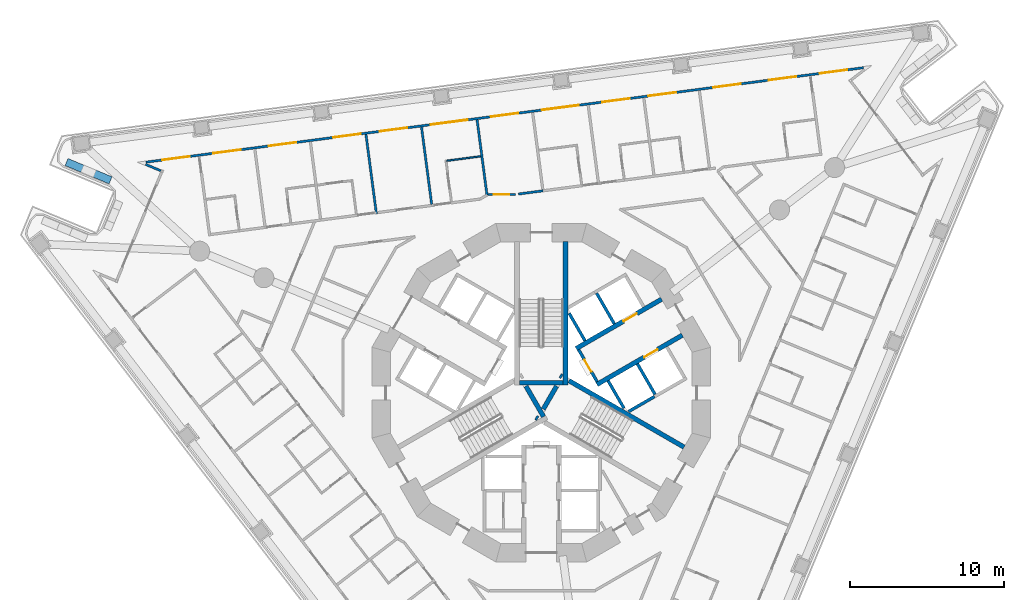
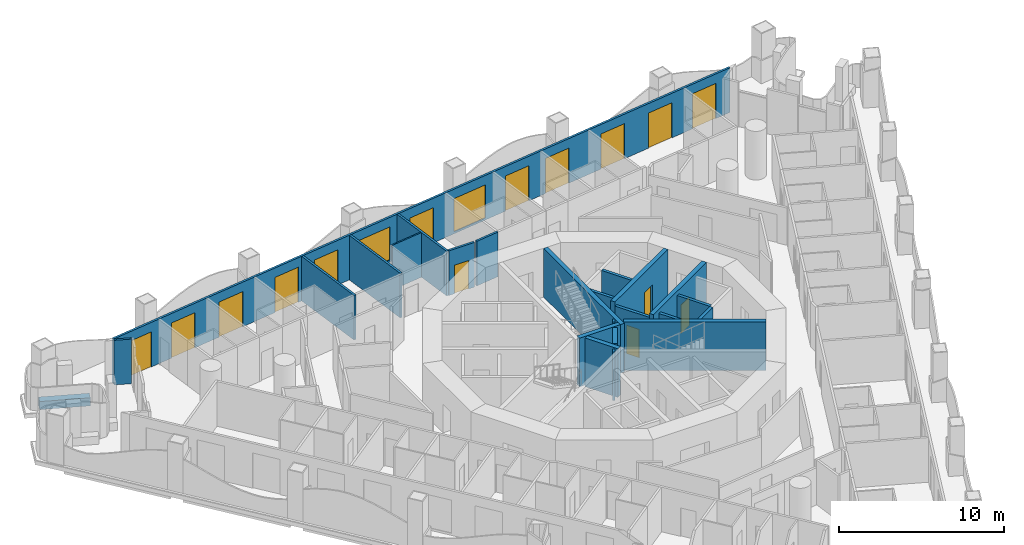
# One storey, part 8 of 19: 24 walls, 15 doors, 2 windows, 17 openings.
"""IFC4 building model written with IfcOpenShell, lengths in metres."""

from ifc_helpers import new_model, si_unit, direction, frame, frame_2d, origin, place, context, subcontext, project, spatial, polyline, rectangle, outline, extrude, material, layer, layer_set, type_object, element, fill, save


model = new_model("IFC4")

# Units and contexts
model_context = context("Model", 3, precision=1e-05, world=origin(), true_north=direction((0.0, 1.0)))
body_context = subcontext(model_context, "Body", "Model", "MODEL_VIEW")
ifc_project = project(units=[si_unit("LENGTHUNIT", "METRE"), si_unit("AREAUNIT", "SQUARE_METRE"), si_unit("VOLUMEUNIT", "CUBIC_METRE"), si_unit("PLANEANGLEUNIT", "RADIAN"), si_unit("MASSUNIT", "GRAM", prefix="KILO")], contexts=[model_context])

# Site, building, storey
site_placement = place(None, origin())
site = spatial("IfcSite", under=ifc_project, at=site_placement, CompositionType="ELEMENT")
building_placement = place(site_placement, origin())
building = spatial("IfcBuilding", under=site, at=building_placement, Name="Trine Commons Tower", CompositionType="ELEMENT")
storey_placement = place(building_placement, frame((0.0, 0.0, 57.60009765625)))
storey = spatial("IfcBuildingStorey", under=building, at=storey_placement, Name="L13", CompositionType="ELEMENT", Elevation=57.60009765625)

# Wall
ifc_material_1 = material(Name="Aluminium-framed insulated wall panel", Category="aluminium")
ifc_layer_1 = layer(ifc_material_1, 0.14990234375)
ifc_layer_set_1 = layer_set([ifc_layer_1], Name="Aluminium-framed insulated wall panel")
wall_type_1 = type_object("IfcWallType", Name="Glazed frame wall 150, EI 60", PredefinedType="SOLIDWALL", material=ifc_layer_set_1)
wall_1_placement = place(storey_placement, frame((55.376220703125, 76.883056640625, 0.0), z_axis=(0.0, 0.0, 1.0), x_axis=(-0.923901801611, 0.382629665579, 0.0)))
element("IfcWall", 1, at=wall_1_placement, inside=storey, type_object=wall_type_1, Name="Glazed frame wall R3", PredefinedType="SOLIDWALL", context=body_context, shape_type="SweptSolid", body=[
    extrude(outline(polyline([(0.110107421875, 0.074951171875), (0.110107421875, -0.074951171875), (1.19580078125, -0.074951171875), (1.19580078125, 0.074951171875), (0.110107421875, 0.074951171875)])), origin(), (0.0, 0.0, 1.0), 3.2998046875),
])

# Wall, openings, windows, doors
wall_2_placement = place(storey_placement, frame((54.142333984375, 77.464599609375, 0.0), z_axis=(0.0, 0.0, 1.0), x_axis=(0.991444696532, 0.130527444308, 0.0)))
wall_2 = element("IfcWall", 2, at=wall_2_placement, inside=storey, type_object=wall_type_1, Name="Glazed frame wall F1", PredefinedType="SOLIDWALL", context=body_context, shape_type="SweptSolid", body=[
    extrude(outline(polyline([(0.1494140625, 0.074951171875), (0.1494140625, -0.074951171875), (47.216796875, -0.074951171875), (47.216796875, 0.074951171875), (0.1494140625, 0.074951171875)])), origin(), (0.0, 0.0, 1.0), 3.2998046875),
])
opening_1_placement = place(wall_2_placement, frame((1.2216796875, 0.0, 0.0)))
opening_1 = element("IfcOpeningElement", 3, at=opening_1_placement, cuts=wall_2, Name="Opening BD-2F1-01", PredefinedType="OPENING", context=body_context, shape_type="SweptSolid", body=[
    extrude(rectangle(XDim=1.800048828125, YDim=2.60009765625, at=frame_2d((0.89990234375, 1.300048828125))), frame((0.0, 0.0849609375, 0.0), z_axis=(0.0, -1.0, 0.0), x_axis=(1.0, 0.0, 0.0)), (0.0, 0.0, 1.0), 0.169921875),
])
opening_2_placement = place(wall_2_placement, frame((4.5654296875, 0.0, 0.0)))
opening_2 = element("IfcOpeningElement", 4, at=opening_2_placement, cuts=wall_2, Name="Opening BD-2F1-02", PredefinedType="OPENING", context=body_context, shape_type="SweptSolid", body=[
    extrude(rectangle(XDim=1.800048828125, YDim=2.60009765625, at=frame_2d((0.89990234375, 1.300048828125))), frame((0.0, 0.0849609375, 0.0), z_axis=(0.0, -1.0, 0.0), x_axis=(1.0, 0.0, 0.0)), (0.0, 0.0, 1.0), 0.169921875),
])
opening_3_placement = place(wall_2_placement, frame((8.208984375, 0.0, 0.0)))
opening_3 = element("IfcOpeningElement", 5, at=opening_3_placement, cuts=wall_2, Name="Opening BD-2F1-03", PredefinedType="OPENING", context=body_context, shape_type="SweptSolid", body=[
    extrude(rectangle(XDim=1.800048828125, YDim=2.60009765625, at=frame_2d((0.89990234375, 1.300048828125))), frame((0.0, 0.0849609375, 0.0), z_axis=(0.0, -1.0, 0.0), x_axis=(1.0, 0.0, 0.0)), (0.0, 0.0, 1.0), 0.169921875),
])
opening_4_placement = place(wall_2_placement, frame((12.45263671875, 0.0, 0.0)))
opening_4 = element("IfcOpeningElement", 6, at=opening_4_placement, cuts=wall_2, Name="Opening BD-2F1-04", PredefinedType="OPENING", context=body_context, shape_type="SweptSolid", body=[
    extrude(rectangle(XDim=1.800048828125, YDim=2.60009765625, at=frame_2d((0.89990234375, 1.300048828125))), frame((0.0, 0.0849609375, 0.0), z_axis=(0.0, -1.0, 0.0), x_axis=(1.0, 0.0, 0.0)), (0.0, 0.0, 1.0), 0.169921875),
])
opening_5_placement = place(wall_2_placement, frame((15.49609375, 0.0, 0.0)))
opening_5 = element("IfcOpeningElement", 7, at=opening_5_placement, cuts=wall_2, Name="Opening BD-2F1-05", PredefinedType="OPENING", context=body_context, shape_type="SweptSolid", body=[
    extrude(rectangle(XDim=1.800048828125, YDim=2.60009765625, at=frame_2d((0.89990234375, 1.300048828125))), frame((0.0, 0.0849609375, 0.0), z_axis=(0.0, -1.0, 0.0), x_axis=(1.0, 0.0, 0.0)), (0.0, 0.0, 1.0), 0.169921875),
])
opening_6_placement = place(wall_2_placement, frame((18.83984375, 0.0, 0.14990234375)))
opening_6 = element("IfcOpeningElement", 8, at=opening_6_placement, cuts=wall_2, Name="Opening W-2F1-06", PredefinedType="OPENING", context=body_context, shape_type="SweptSolid", body=[
    extrude(rectangle(XDim=2.39990234375, YDim=2.449951171875, at=frame_2d((1.199951171875, 1.22509765625))), frame((0.0, 0.0849609375, 0.0), z_axis=(0.0, -1.0, 0.0), x_axis=(1.0, 0.0, 0.0)), (0.0, 0.0, 1.0), 0.169921875),
])
opening_7_placement = place(wall_2_placement, frame((22.783447265625, 0.0, 0.0)))
opening_7 = element("IfcOpeningElement", 9, at=opening_7_placement, cuts=wall_2, Name="Opening BD-2F1-07", PredefinedType="OPENING", context=body_context, shape_type="SweptSolid", body=[
    extrude(rectangle(XDim=1.800048828125, YDim=2.60009765625, at=frame_2d((0.89990234375, 1.300048828125))), frame((0.0, 0.0849609375, 0.0), z_axis=(0.0, -1.0, 0.0), x_axis=(1.0, 0.0, 0.0)), (0.0, 0.0, 1.0), 0.169921875),
])
opening_8_placement = place(wall_2_placement, frame((26.126953125, 0.0, 0.14990234375)))
opening_8 = element("IfcOpeningElement", 10, at=opening_8_placement, cuts=wall_2, Name="Opening W-2F1-08", PredefinedType="OPENING", context=body_context, shape_type="SweptSolid", body=[
    extrude(rectangle(XDim=2.39990234375, YDim=2.449951171875, at=frame_2d((1.199951171875, 1.22509765625))), frame((0.0, 0.0849609375, 0.0), z_axis=(0.0, -1.0, 0.0), x_axis=(1.0, 0.0, 0.0)), (0.0, 0.0, 1.0), 0.169921875),
])
opening_9_placement = place(wall_2_placement, frame((30.070556640625, 0.0, 0.0)))
opening_9 = element("IfcOpeningElement", 11, at=opening_9_placement, cuts=wall_2, Name="Opening BD-2F1-09", PredefinedType="OPENING", context=body_context, shape_type="SweptSolid", body=[
    extrude(rectangle(XDim=1.800048828125, YDim=2.60009765625, at=frame_2d((0.89990234375, 1.300048828125))), frame((0.0, 0.0849609375, 0.0), z_axis=(0.0, -1.0, 0.0), x_axis=(1.0, 0.0, 0.0)), (0.0, 0.0, 1.0), 0.169921875),
])
opening_10_placement = place(wall_2_placement, frame((33.1142578125, 0.0, 0.0)))
opening_10 = element("IfcOpeningElement", 12, at=opening_10_placement, cuts=wall_2, Name="Opening BD-2F1-10", PredefinedType="OPENING", context=body_context, shape_type="SweptSolid", body=[
    extrude(rectangle(XDim=1.800048828125, YDim=2.60009765625, at=frame_2d((0.89990234375, 1.300048828125))), frame((0.0, 0.0849609375, 0.0), z_axis=(0.0, -1.0, 0.0), x_axis=(1.0, 0.0, 0.0)), (0.0, 0.0, 1.0), 0.169921875),
])
opening_11_placement = place(wall_2_placement, frame((37.35791015625, 0.0, 0.0)))
opening_11 = element("IfcOpeningElement", 13, at=opening_11_placement, cuts=wall_2, Name="Opening BD-2F1-11", PredefinedType="OPENING", context=body_context, shape_type="SweptSolid", body=[
    extrude(rectangle(XDim=1.800048828125, YDim=2.60009765625, at=frame_2d((0.89990234375, 1.300048828125))), frame((0.0, 0.0849609375, 0.0), z_axis=(0.0, -1.0, 0.0), x_axis=(1.0, 0.0, 0.0)), (0.0, 0.0, 1.0), 0.169921875),
])
opening_12_placement = place(wall_2_placement, frame((41.00146484375, 0.0, 0.0)))
opening_12 = element("IfcOpeningElement", 14, at=opening_12_placement, cuts=wall_2, Name="Opening BD-2F1-12", PredefinedType="OPENING", context=body_context, shape_type="SweptSolid", body=[
    extrude(rectangle(XDim=1.800048828125, YDim=2.60009765625, at=frame_2d((0.89990234375, 1.300048828125))), frame((0.0, 0.0849609375, 0.0), z_axis=(0.0, -1.0, 0.0), x_axis=(1.0, 0.0, 0.0)), (0.0, 0.0, 1.0), 0.169921875),
])
opening_13_placement = place(wall_2_placement, frame((44.344970703125, 0.0, 0.0)))
opening_13 = element("IfcOpeningElement", 15, at=opening_13_placement, cuts=wall_2, Name="Opening BD-2F1-13", PredefinedType="OPENING", context=body_context, shape_type="SweptSolid", body=[
    extrude(rectangle(XDim=1.800048828125, YDim=2.60009765625, at=frame_2d((0.89990234375, 1.300048828125))), frame((0.0, 0.0849609375, 0.0), z_axis=(0.0, -1.0, 0.0), x_axis=(1.0, 0.0, 0.0)), (0.0, 0.0, 1.0), 0.169921875),
])
ifc_material_2 = material(Name="Anodised aluminium frame with double glazing", Category="aluminium")
window_type = type_object("IfcWindowType", Name="Fixed window 2400x2450", PartitioningType="SINGLE_PANEL", PredefinedType="WINDOW", material=ifc_material_2)
window_1_placement = place(opening_6_placement, origin())
window_1 = element("IfcWindow", 16, at=window_1_placement, inside=storey, type_object=window_type, Name="Window F1 6", OverallHeight=2.449951171875, OverallWidth=2.39990234375, PartitioningType="SINGLE_PANEL", PredefinedType="WINDOW", context=body_context, shape_type="SweptSolid", body=[
    extrude(rectangle(XDim=2.39990234375, YDim=2.449951171875, at=frame_2d((1.199951171875, 1.22509765625))), frame((0.0, 0.030029296875, 0.0), z_axis=(0.0, -1.0, 0.0), x_axis=(1.0, 0.0, 0.0)), (0.0, 0.0, 1.0), 0.06005859375),
])
fill(opening_6, window_1)
window_2_placement = place(opening_8_placement, origin())
window_2 = element("IfcWindow", 17, at=window_2_placement, inside=storey, type_object=window_type, Name="Window F1 8", OverallHeight=2.449951171875, OverallWidth=2.39990234375, PartitioningType="SINGLE_PANEL", PredefinedType="WINDOW", context=body_context, shape_type="SweptSolid", body=[
    extrude(rectangle(XDim=2.39990234375, YDim=2.449951171875, at=frame_2d((1.199951171875, 1.22509765625))), frame((0.0, 0.030029296875, 0.0), z_axis=(0.0, -1.0, 0.0), x_axis=(1.0, 0.0, 0.0)), (0.0, 0.0, 1.0), 0.06005859375),
])
fill(opening_8, window_2)
door_type_1 = type_object("IfcDoorType", Name="Sliding loggia door 1800x2600", OperationType="SLIDING_TO_LEFT", PredefinedType="DOOR", material=ifc_material_2)
door_1_placement = place(opening_1_placement, origin())
door_1 = element("IfcDoor", 18, at=door_1_placement, inside=storey, type_object=door_type_1, Name="Loggia door F1 1", OperationType="SLIDING_TO_LEFT", OverallHeight=2.60009765625, OverallWidth=1.800048828125, PredefinedType="DOOR", context=body_context, shape_type="SweptSolid", body=[
    extrude(rectangle(XDim=1.800048828125, YDim=2.60009765625, at=frame_2d((0.89990234375, 1.300048828125))), frame((0.0, 0.02490234375, 0.0), z_axis=(0.0, -1.0, 0.0), x_axis=(1.0, 0.0, 0.0)), (0.0, 0.0, 1.0), 0.050048828125),
])
fill(opening_1, door_1)
door_2_placement = place(opening_2_placement, origin())
door_2 = element("IfcDoor", 19, at=door_2_placement, inside=storey, type_object=door_type_1, Name="Loggia door F1 2", OperationType="SLIDING_TO_LEFT", OverallHeight=2.60009765625, OverallWidth=1.800048828125, PredefinedType="DOOR", context=body_context, shape_type="SweptSolid", body=[
    extrude(rectangle(XDim=1.800048828125, YDim=2.60009765625, at=frame_2d((0.89990234375, 1.300048828125))), frame((0.0, 0.02490234375, 0.0), z_axis=(0.0, -1.0, 0.0), x_axis=(1.0, 0.0, 0.0)), (0.0, 0.0, 1.0), 0.050048828125),
])
fill(opening_2, door_2)
door_3_placement = place(opening_3_placement, origin())
door_3 = element("IfcDoor", 20, at=door_3_placement, inside=storey, type_object=door_type_1, Name="Loggia door F1 3", OperationType="SLIDING_TO_LEFT", OverallHeight=2.60009765625, OverallWidth=1.800048828125, PredefinedType="DOOR", context=body_context, shape_type="SweptSolid", body=[
    extrude(rectangle(XDim=1.800048828125, YDim=2.60009765625, at=frame_2d((0.89990234375, 1.300048828125))), frame((0.0, 0.02490234375, 0.0), z_axis=(0.0, -1.0, 0.0), x_axis=(1.0, 0.0, 0.0)), (0.0, 0.0, 1.0), 0.050048828125),
])
fill(opening_3, door_3)
door_4_placement = place(opening_4_placement, origin())
door_4 = element("IfcDoor", 21, at=door_4_placement, inside=storey, type_object=door_type_1, Name="Loggia door F1 4", OperationType="SLIDING_TO_LEFT", OverallHeight=2.60009765625, OverallWidth=1.800048828125, PredefinedType="DOOR", context=body_context, shape_type="SweptSolid", body=[
    extrude(rectangle(XDim=1.800048828125, YDim=2.60009765625, at=frame_2d((0.89990234375, 1.300048828125))), frame((0.0, 0.02490234375, 0.0), z_axis=(0.0, -1.0, 0.0), x_axis=(1.0, 0.0, 0.0)), (0.0, 0.0, 1.0), 0.050048828125),
])
fill(opening_4, door_4)
door_5_placement = place(opening_5_placement, origin())
door_5 = element("IfcDoor", 22, at=door_5_placement, inside=storey, type_object=door_type_1, Name="Loggia door F1 5", OperationType="SLIDING_TO_LEFT", OverallHeight=2.60009765625, OverallWidth=1.800048828125, PredefinedType="DOOR", context=body_context, shape_type="SweptSolid", body=[
    extrude(rectangle(XDim=1.800048828125, YDim=2.60009765625, at=frame_2d((0.89990234375, 1.300048828125))), frame((0.0, 0.02490234375, 0.0), z_axis=(0.0, -1.0, 0.0), x_axis=(1.0, 0.0, 0.0)), (0.0, 0.0, 1.0), 0.050048828125),
])
fill(opening_5, door_5)
door_6_placement = place(opening_7_placement, origin())
door_6 = element("IfcDoor", 23, at=door_6_placement, inside=storey, type_object=door_type_1, Name="Loggia door F1 7", OperationType="SLIDING_TO_LEFT", OverallHeight=2.60009765625, OverallWidth=1.800048828125, PredefinedType="DOOR", context=body_context, shape_type="SweptSolid", body=[
    extrude(rectangle(XDim=1.800048828125, YDim=2.60009765625, at=frame_2d((0.89990234375, 1.300048828125))), frame((0.0, 0.02490234375, 0.0), z_axis=(0.0, -1.0, 0.0), x_axis=(1.0, 0.0, 0.0)), (0.0, 0.0, 1.0), 0.050048828125),
])
fill(opening_7, door_6)
door_7_placement = place(opening_9_placement, origin())
door_7 = element("IfcDoor", 24, at=door_7_placement, inside=storey, type_object=door_type_1, Name="Loggia door F1 9", OperationType="SLIDING_TO_LEFT", OverallHeight=2.60009765625, OverallWidth=1.800048828125, PredefinedType="DOOR", context=body_context, shape_type="SweptSolid", body=[
    extrude(rectangle(XDim=1.800048828125, YDim=2.60009765625, at=frame_2d((0.89990234375, 1.300048828125))), frame((0.0, 0.02490234375, 0.0), z_axis=(0.0, -1.0, 0.0), x_axis=(1.0, 0.0, 0.0)), (0.0, 0.0, 1.0), 0.050048828125),
])
fill(opening_9, door_7)
door_8_placement = place(opening_10_placement, origin())
door_8 = element("IfcDoor", 25, at=door_8_placement, inside=storey, type_object=door_type_1, Name="Loggia door F1 10", OperationType="SLIDING_TO_LEFT", OverallHeight=2.60009765625, OverallWidth=1.800048828125, PredefinedType="DOOR", context=body_context, shape_type="SweptSolid", body=[
    extrude(rectangle(XDim=1.800048828125, YDim=2.60009765625, at=frame_2d((0.89990234375, 1.300048828125))), frame((0.0, 0.02490234375, 0.0), z_axis=(0.0, -1.0, 0.0), x_axis=(1.0, 0.0, 0.0)), (0.0, 0.0, 1.0), 0.050048828125),
])
fill(opening_10, door_8)
door_9_placement = place(opening_11_placement, origin())
door_9 = element("IfcDoor", 26, at=door_9_placement, inside=storey, type_object=door_type_1, Name="Loggia door F1 11", OperationType="SLIDING_TO_LEFT", OverallHeight=2.60009765625, OverallWidth=1.800048828125, PredefinedType="DOOR", context=body_context, shape_type="SweptSolid", body=[
    extrude(rectangle(XDim=1.800048828125, YDim=2.60009765625, at=frame_2d((0.89990234375, 1.300048828125))), frame((0.0, 0.02490234375, 0.0), z_axis=(0.0, -1.0, 0.0), x_axis=(1.0, 0.0, 0.0)), (0.0, 0.0, 1.0), 0.050048828125),
])
fill(opening_11, door_9)
door_10_placement = place(opening_12_placement, origin())
door_10 = element("IfcDoor", 27, at=door_10_placement, inside=storey, type_object=door_type_1, Name="Loggia door F1 12", OperationType="SLIDING_TO_LEFT", OverallHeight=2.60009765625, OverallWidth=1.800048828125, PredefinedType="DOOR", context=body_context, shape_type="SweptSolid", body=[
    extrude(rectangle(XDim=1.800048828125, YDim=2.60009765625, at=frame_2d((0.89990234375, 1.300048828125))), frame((0.0, 0.02490234375, 0.0), z_axis=(0.0, -1.0, 0.0), x_axis=(1.0, 0.0, 0.0)), (0.0, 0.0, 1.0), 0.050048828125),
])
fill(opening_12, door_10)
door_11_placement = place(opening_13_placement, origin())
door_11 = element("IfcDoor", 28, at=door_11_placement, inside=storey, type_object=door_type_1, Name="Loggia door F1 13", OperationType="SLIDING_TO_LEFT", OverallHeight=2.60009765625, OverallWidth=1.800048828125, PredefinedType="DOOR", context=body_context, shape_type="SweptSolid", body=[
    extrude(rectangle(XDim=1.800048828125, YDim=2.60009765625, at=frame_2d((0.89990234375, 1.300048828125))), frame((0.0, 0.02490234375, 0.0), z_axis=(0.0, -1.0, 0.0), x_axis=(1.0, 0.0, 0.0)), (0.0, 0.0, 1.0), 0.050048828125),
])
fill(opening_13, door_11)

# Wall, opening, door
ifc_material_3 = material(Name="Fire-rated gypsum shaft wall system")
ifc_layer_2 = layer(ifc_material_3, 0.199951171875)
ifc_layer_set_2 = layer_set([ifc_layer_2], Name="Fire-rated gypsum shaft wall system")
wall_type_2 = type_object("IfcWallType", Name="Lobby end wall 200 mm, EI 120", PredefinedType="PARTITIONING", material=ifc_layer_set_2)
wall_3_placement = place(storey_placement, frame((83.631103515625, 63.2109375, 0.0), z_axis=(0.0, 0.0, 1.0), x_axis=(-0.50012165622, 0.865955154139, 0.0)))
wall_3 = element("IfcWall", 29, at=wall_3_placement, inside=storey, type_object=wall_type_2, Name="Lobby end wall L13", PredefinedType="PARTITIONING", context=body_context, shape_type="SweptSolid", body=[
    extrude(rectangle(XDim=2.39990234375, YDim=0.199951171875, at=frame_2d((1.199951171875, 0.0))), origin(), (0.0, 0.0, 1.0), 3.2998046875),
])
opening_14_placement = place(wall_3_placement, frame((0.749755859375, 0.0, 0.0)))
opening_14 = element("IfcOpeningElement", 30, at=opening_14_placement, cuts=wall_3, Name="Opening K04.05", PredefinedType="OPENING", context=body_context, shape_type="SweptSolid", body=[
    extrude(rectangle(XDim=0.89990234375, YDim=2.10009765625, at=frame_2d((0.449951171875, 1.050048828125))), frame((0.0, 0.10986328125, 0.0), z_axis=(0.0, -1.0, 0.0), x_axis=(1.0, 0.0, 0.0)), (0.0, 0.0, 1.0), 0.219970703125),
])
ifc_material_4 = material(Name="Steel door leaf, fire-rated", Category="steel")
door_type_2 = type_object("IfcDoorType", Name="Riser access door, single leaf 900 x 2100, FD60", OperationType="SINGLE_SWING_LEFT", PredefinedType="DOOR", material=ifc_material_4)
door_12_placement = place(opening_14_placement, frame((0.89990234375, 0.0, 0.0), z_axis=(0.0, 0.0, 1.0), x_axis=(-1.0, 0.0, 0.0)))
door_12 = element("IfcDoor", 31, at=door_12_placement, inside=storey, type_object=door_type_2, Name="Riser door, Electrical riser L13", OperationType="SINGLE_SWING_LEFT", OverallHeight=2.10009765625, OverallWidth=0.89990234375, PredefinedType="DOOR", context=body_context, shape_type="SweptSolid", body=[
    extrude(rectangle(XDim=0.89990234375, YDim=2.10009765625, at=frame_2d((0.449951171875, 1.050048828125))), frame((0.0, 0.02490234375, 0.0), z_axis=(0.0, -1.0, 0.0), x_axis=(1.0, 0.0, 0.0)), (0.0, 0.0, 1.0), 0.050048828125),
])
fill(opening_14, door_12)

# Wall
ifc_material_5 = material(Name="Planter trough, precast concrete C40/50", Category="concrete")
ifc_layer_3 = layer(ifc_material_5, 0.5)
ifc_layer_set_3 = layer_set([ifc_layer_3], Name="Planter trough, precast concrete C40/50")
wall_type_3 = type_object("IfcWallType", Name="Planter trough 500x600", PredefinedType="PARAPET", material=ifc_layer_set_3)
wall_4_placement = place(storey_placement, frame((51.99853515625, 76.306640625, 0.0), z_axis=(0.0, 0.0, 1.0), x_axis=(-0.923883411188, 0.382674068277, 0.0)))
element("IfcWall", 32, at=wall_4_placement, inside=storey, type_object=wall_type_3, Name="Planter 3", PredefinedType="PARAPET", context=body_context, shape_type="SweptSolid", body=[
    extrude(rectangle(XDim=3.099853515625, YDim=0.5, at=frame_2d((1.5498046875, 0.0))), origin(), (0.0, 0.0, 1.0), 0.599853515625),
])

# Wall, opening, door
ifc_material_6 = material(Name="Concrete C80/95", Category="concrete")
ifc_layer_4 = layer(ifc_material_6, 0.300048828125)
ifc_layer_set_4 = layer_set([ifc_layer_4], Name="Concrete C80/95")
wall_type_4 = type_object("IfcWallType", Name="RC shear wall 300 mm, C80/95", PredefinedType="SHEAR", material=ifc_layer_set_4)
wall_5_placement = place(storey_placement, frame((82.26904296875, 65.368896484375, 0.0), z_axis=(0.0, 0.0, 1.0), x_axis=(0.866022631842, 0.500004801114, 0.0)))
wall_5 = element("IfcWall", 33, at=wall_5_placement, inside=storey, type_object=wall_type_4, Name="Core cross wall SWA-05 L13", PredefinedType="SHEAR", context=body_context, shape_type="SweptSolid", body=[
    extrude(rectangle(XDim=6.412109375, YDim=0.300048828125, at=frame_2d((3.2060546875, 0.0))), origin(), (0.0, 0.0, 1.0), 3.599853515625),
])
opening_15_placement = place(wall_5_placement, frame((3.55029296875, 0.0, 0.0)))
opening_15 = element("IfcOpeningElement", 34, at=opening_15_placement, cuts=wall_5, Name="Opening LD1", PredefinedType="OPENING", context=body_context, shape_type="SweptSolid", body=[
    extrude(rectangle(XDim=1.0, YDim=2.10009765625, at=frame_2d((0.5, 1.050048828125))), frame((0.0, 0.159912109375, 0.0), z_axis=(0.0, -1.0, 0.0), x_axis=(1.0, 0.0, 0.0)), (0.0, 0.0, 1.0), 0.320068359375),
])
ifc_material_7 = material(Name="Stainless steel sliding door leaves", Category="steel")
door_type_3 = type_object("IfcDoorType", Name="Lift landing door, centre-opening sliding 1000 x 2100, FD90", OperationType="DOUBLE_DOOR_SLIDING", PredefinedType="DOOR", material=ifc_material_7)
door_13_placement = place(opening_15_placement, origin())
door_13 = element("IfcDoor", 35, at=door_13_placement, inside=storey, type_object=door_type_3, Name="Lift landing door LR1 L13", OperationType="DOUBLE_DOOR_SLIDING", OverallHeight=2.10009765625, OverallWidth=1.0, PredefinedType="DOOR", context=body_context, shape_type="SweptSolid", body=[
    extrude(rectangle(XDim=1.0, YDim=2.10009765625, at=frame_2d((0.5, 1.050048828125))), frame((0.0, 0.02490234375, 0.0), z_axis=(0.0, -1.0, 0.0), x_axis=(1.0, 0.0, 0.0)), (0.0, 0.0, 1.0), 0.050048828125),
])
fill(opening_15, door_13)

wall_6_placement = place(storey_placement, frame((83.618896484375, 63.031005859375, 0.0), z_axis=(0.0, 0.0, 1.0), x_axis=(0.866032150378, 0.499988314375, 0.0)))
wall_6 = element("IfcWall", 36, at=wall_6_placement, inside=storey, type_object=wall_type_4, Name="Core cross wall SWA-06 L13", PredefinedType="SHEAR", context=body_context, shape_type="SweptSolid", body=[
    extrude(rectangle(XDim=6.412353515625, YDim=0.300048828125, at=frame_2d((3.2060546875, 0.0))), origin(), (0.0, 0.0, 1.0), 3.599853515625),
])
opening_16_placement = place(wall_6_placement, frame((3.55029296875, 0.0, 0.0)))
opening_16 = element("IfcOpeningElement", 37, at=opening_16_placement, cuts=wall_6, Name="Opening LD2", PredefinedType="OPENING", context=body_context, shape_type="SweptSolid", body=[
    extrude(rectangle(XDim=1.0, YDim=2.10009765625, at=frame_2d((0.5, 1.050048828125))), frame((0.0, 0.159912109375, 0.0), z_axis=(0.0, -1.0, 0.0), x_axis=(1.0, 0.0, 0.0)), (0.0, 0.0, 1.0), 0.320068359375),
])
door_14_placement = place(opening_16_placement, origin())
door_14 = element("IfcDoor", 38, at=door_14_placement, inside=storey, type_object=door_type_3, Name="Lift landing door LR2 L13", OperationType="DOUBLE_DOOR_SLIDING", OverallHeight=2.10009765625, OverallWidth=1.0, PredefinedType="DOOR", context=body_context, shape_type="SweptSolid", body=[
    extrude(rectangle(XDim=1.0, YDim=2.10009765625, at=frame_2d((0.5, 1.050048828125))), frame((0.0, 0.02490234375, 0.0), z_axis=(0.0, -1.0, 0.0), x_axis=(1.0, 0.0, 0.0)), (0.0, 0.0, 1.0), 0.050048828125),
])
fill(opening_16, door_14)

# Walls
wall_7_placement = place(storey_placement, frame((79.0029296875, 62.926025390625, 0.0), z_axis=(0.0, 0.0, 1.0), x_axis=(0.499965247104, -0.866045467449, 0.0)))
element("IfcWall", 39, at=wall_7_placement, inside=storey, type_object=wall_type_4, Name="Core cross wall SWA-10 L13", PredefinedType="SHEAR", context=body_context, shape_type="SweptSolid", body=[
    extrude(rectangle(XDim=2.292236328125, YDim=0.300048828125, at=frame_2d((1.14599609375, 0.0))), origin(), (0.0, 0.0, 1.0), 3.599853515625),
])
wall_8_placement = place(storey_placement, frame((79.64599609375, 60.885986328125, 0.0), z_axis=(0.0, 0.0, 1.0), x_axis=(0.867331893649, -0.497730234424, 0.0)))
element("IfcWall", 40, at=wall_8_placement, inside=storey, type_object=wall_type_4, Name="Core cross wall SWA-11 L13", PredefinedType="SHEAR", context=body_context, shape_type="SweptSolid", body=[
    extrude(rectangle(XDim=0.148681640625, YDim=0.300048828125, at=frame_2d((0.07421875, 0.0))), origin(), (0.0, 0.0, 1.0), 3.599853515625),
])
wall_9_placement = place(storey_placement, frame((80.1298828125, 61.424072265625, 0.0), z_axis=(0.0, 0.0, 1.0), x_axis=(0.500014901547, 0.866016800201, 0.0)))
element("IfcWall", 41, at=wall_9_placement, inside=storey, type_object=wall_type_4, Name="Core cross wall SWA-12 L13", PredefinedType="SHEAR", context=body_context, shape_type="SweptSolid", body=[
    extrude(rectangle(XDim=1.734375, YDim=0.300048828125, at=frame_2d((0.8671875, 0.0))), origin(), (0.0, 0.0, 1.0), 3.599853515625),
])
wall_10_placement = place(storey_placement, frame((81.220947265625, 63.614013671875, 0.0), z_axis=(0.0, 0.0, 1.0), x_axis=(0.867737973955, -0.497021939713, 0.0)))
element("IfcWall", 42, at=wall_10_placement, inside=storey, type_object=wall_type_4, Name="Core cross wall SWA-15 L13", PredefinedType="SHEAR", context=body_context, shape_type="SweptSolid", body=[
    extrude(rectangle(XDim=0.14892578125, YDim=0.300048828125, at=frame_2d((0.074462890625, 0.0))), origin(), (0.0, 0.0, 1.0), 3.599853515625),
])
wall_11_placement = place(storey_placement, frame((81.425048828125, 63.15087890625, 0.0), z_axis=(0.0, 0.0, 1.0), x_axis=(-1.0, 0.0, 0.0)))
element("IfcWall", 43, at=wall_11_placement, inside=storey, type_object=wall_type_4, Name="Core cross wall SWA-16 L13", PredefinedType="SHEAR", context=body_context, shape_type="SweptSolid", body=[
    extrude(rectangle(XDim=2.85009765625, YDim=0.300048828125, at=frame_2d((1.425048828125, 0.0))), origin(), (0.0, 0.0, 1.0), 3.599853515625),
])
wall_12_placement = place(storey_placement, frame((81.574951171875, 63.0009765625, 0.0), z_axis=(0.0, 0.0, 1.0), x_axis=(0.0, 1.0, 0.0)))
element("IfcWall", 44, at=wall_12_placement, inside=storey, type_object=wall_type_4, Name="Core cross wall SWA-17 L13", PredefinedType="SHEAR", context=body_context, shape_type="SweptSolid", body=[
    extrude(rectangle(XDim=9.31103515625, YDim=0.300048828125, at=frame_2d((4.655517578125, 0.0))), origin(), (0.0, 0.0, 1.0), 3.599853515625),
])
wall_13_placement = place(storey_placement, frame((81.800048828125, 63.280029296875, 0.0), z_axis=(0.0, 0.0, 1.0), x_axis=(0.865965399159, -0.500103916661, 0.0)))
element("IfcWall", 45, at=wall_13_placement, inside=storey, type_object=wall_type_4, Name="Core cross wall SWA-18 L13", PredefinedType="SHEAR", context=body_context, shape_type="SweptSolid", body=[
    extrude(rectangle(XDim=8.642333984375, YDim=0.300048828125, at=frame_2d((4.3212890625, 0.0))), origin(), (0.0, 0.0, 1.0), 3.599853515625),
])
ifc_layer_5 = layer(ifc_material_3, 0.199951171875)
ifc_layer_set_5 = layer_set([ifc_layer_5], Name="Fire-rated gypsum shaft wall system")
wall_type_5 = type_object("IfcWallType", Name="Shaft wall 200 mm, EI 120", PredefinedType="PARTITIONING", material=ifc_layer_set_5)
wall_14_placement = place(storey_placement, frame((82.843994140625, 65.8740234375, 0.0), z_axis=(0.0, 0.0, 1.0), x_axis=(-0.499865770674, 0.866102887253, 0.0)))
element("IfcWall", 46, at=wall_14_placement, inside=storey, type_object=wall_type_5, Name="Shaft wall L13", PredefinedType="PARTITIONING", context=body_context, shape_type="SweptSolid", body=[
    extrude(rectangle(XDim=2.064453125, YDim=0.199951171875, at=frame_2d((1.0322265625, 0.0))), origin(), (0.0, 0.0, 1.0), 3.2998046875),
])
wall_15_placement = place(storey_placement, frame((84.343994140625, 63.27587890625, 0.0), z_axis=(0.0, 0.0, 1.0), x_axis=(0.500271688072, -0.86586848777, 0.0)))
element("IfcWall", 47, at=wall_15_placement, inside=storey, type_object=wall_type_5, Name="Shaft wall L13", PredefinedType="PARTITIONING", context=body_context, shape_type="SweptSolid", body=[
    extrude(rectangle(XDim=2.064697265625, YDim=0.199951171875, at=frame_2d((1.0322265625, 0.0))), origin(), (0.0, 0.0, 1.0), 3.2998046875),
])
wall_16_placement = place(storey_placement, frame((84.7490234375, 66.97412109375, 0.0), z_axis=(0.0, 0.0, 1.0), x_axis=(-0.500136062276, 0.86594683394, 0.0)))
element("IfcWall", 48, at=wall_16_placement, inside=storey, type_object=wall_type_5, Name="Shaft wall L13", PredefinedType="PARTITIONING", context=body_context, shape_type="SweptSolid", body=[
    extrude(rectangle(XDim=2.299072265625, YDim=0.199951171875, at=frame_2d((1.1494140625, 0.0))), origin(), (0.0, 0.0, 1.0), 3.2998046875),
])
wall_17_placement = place(storey_placement, frame((85.675048828125, 61.27294921875, 0.0), z_axis=(0.0, 0.0, 1.0), x_axis=(0.865780634835, 0.500423712812, 0.0)))
element("IfcWall", 49, at=wall_17_placement, inside=storey, type_object=wall_type_5, Name="Shaft wall L13", PredefinedType="PARTITIONING", context=body_context, shape_type="SweptSolid", body=[
    extrude(rectangle(XDim=1.948486328125, YDim=0.199951171875, at=frame_2d((0.97412109375, 0.0))), origin(), (0.0, 0.0, 1.0), 3.2998046875),
])
wall_18_placement = place(storey_placement, frame((86.2490234375, 64.3759765625, 0.0), z_axis=(0.0, 0.0, 1.0), x_axis=(0.500136062276, -0.86594683394, 0.0)))
element("IfcWall", 50, at=wall_18_placement, inside=storey, type_object=wall_type_5, Name="Shaft wall L13", PredefinedType="PARTITIONING", context=body_context, shape_type="SweptSolid", body=[
    extrude(rectangle(XDim=2.299072265625, YDim=0.199951171875, at=frame_2d((1.1494140625, 0.0))), origin(), (0.0, 0.0, 1.0), 3.2998046875),
])
ifc_material_8 = material(Name="Gypsum plasterboard on steel stud", Category="steel")
ifc_layer_6 = layer(ifc_material_8, 0.14990234375)
ifc_layer_set_6 = layer_set([ifc_layer_6], Name="Gypsum plasterboard on steel stud")
wall_type_6 = type_object("IfcWallType", Name="Unit and corridor wall 150 mm, EI 60", PredefinedType="PARTITIONING", material=ifc_layer_set_6)
wall_19_placement = place(storey_placement, frame((68.602294921875, 79.292236328125, 0.0), z_axis=(0.0, 0.0, 1.0), x_axis=(0.130516294002, -0.991446164449, 0.0)))
element("IfcWall", 51, at=wall_19_placement, inside=storey, type_object=wall_type_6, Name="Partition 049", PredefinedType="PARTITIONING", context=body_context, shape_type="SweptSolid", body=[
    extrude(rectangle(XDim=5.21337890625, YDim=0.14990234375, at=frame_2d((2.606689453125, 0.0))), origin(), (0.0, 0.0, 1.0), 3.2998046875),
])
wall_20_placement = place(storey_placement, frame((72.214111328125, 79.768310546875, 0.0), z_axis=(0.0, 0.0, 1.0), x_axis=(0.130546792746, -0.991442149045, 0.0)))
element("IfcWall", 52, at=wall_20_placement, inside=storey, type_object=wall_type_6, Name="Partition 060", PredefinedType="PARTITIONING", context=body_context, shape_type="SweptSolid", body=[
    extrude(rectangle(XDim=5.064453125, YDim=0.14990234375, at=frame_2d((2.5322265625, 0.0))), origin(), (0.0, 0.0, 1.0), 3.2998046875),
])
wall_21_placement = place(storey_placement, frame((75.8271484375, 80.244384765625, 0.0), z_axis=(0.0, 0.0, 1.0), x_axis=(0.130426407647, -0.991457993154, 0.0)))
element("IfcWall", 53, at=wall_21_placement, inside=storey, type_object=wall_type_6, Name="Partition 073", PredefinedType="PARTITIONING", context=body_context, shape_type="SweptSolid", body=[
    extrude(rectangle(XDim=4.943603515625, YDim=0.14990234375, at=frame_2d((2.4716796875, 0.0))), origin(), (0.0, 0.0, 1.0), 3.2998046875),
])

# Wall, opening, door
wall_22_placement = place(storey_placement, frame((76.547119140625, 75.386962890625, 0.0), z_axis=(0.0, 0.0, 1.0), x_axis=(1.0, 0.0, 0.0)))
wall_22 = element("IfcWall", 54, at=wall_22_placement, inside=storey, type_object=wall_type_6, Name="Partition 076", PredefinedType="PARTITIONING", context=body_context, shape_type="SweptSolid", body=[
    extrude(rectangle(XDim=1.788818359375, YDim=0.14990234375, at=frame_2d((0.89453125, 0.0))), origin(), (0.0, 0.0, 1.0), 3.2998046875),
])
opening_17_placement = place(wall_22_placement, frame((0.3779296875, 0.0, 0.0)))
opening_17 = element("IfcOpeningElement", 55, at=opening_17_placement, cuts=wall_22, Name="Opening D-2A12", PredefinedType="OPENING", context=body_context, shape_type="SweptSolid", body=[
    extrude(rectangle(XDim=1.0, YDim=2.10009765625, at=frame_2d((0.5, 1.050048828125))), frame((0.0, 0.0849609375, 0.0), z_axis=(0.0, -1.0, 0.0), x_axis=(1.0, 0.0, 0.0)), (0.0, 0.0, 1.0), 0.169921875),
])
ifc_material_9 = material(Name="Painted timber", Category="wood")
door_type_4 = type_object("IfcDoorType", Name="Amenity room door 1000 x 2100, NOT RATED", OperationType="NOTDEFINED", PredefinedType="DOOR", material=ifc_material_9)
door_15_placement = place(opening_17_placement, origin())
door_15 = element("IfcDoor", 56, at=door_15_placement, inside=storey, type_object=door_type_4, Name="Door D-2A12", OperationType="SINGLE_SWING_LEFT", OverallHeight=2.10009765625, OverallWidth=1.0, PredefinedType="DOOR", context=body_context, shape_type="SweptSolid", body=[
    extrude(rectangle(XDim=1.0, YDim=2.10009765625, at=frame_2d((0.5, 1.050048828125))), frame((0.0, 0.02490234375, 0.0), z_axis=(0.0, -1.0, 0.0), x_axis=(1.0, 0.0, 0.0)), (0.0, 0.0, 1.0), 0.050048828125),
])
fill(opening_17, door_15)

# Walls
wall_23_placement = place(storey_placement, frame((78.508056640625, 75.4130859375, 0.0), z_axis=(0.0, 0.0, 1.0), x_axis=(0.991484025307, 0.13022836696, 0.0)))
element("IfcWall", 57, at=wall_23_placement, inside=storey, type_object=wall_type_6, Name="Partition 080", PredefinedType="PARTITIONING", context=body_context, shape_type="SweptSolid", body=[
    extrude(rectangle(XDim=1.61962890625, YDim=0.14990234375, at=frame_2d((0.809814453125, 0.0))), origin(), (0.0, 0.0, 1.0), 3.2998046875),
])
ifc_layer_7 = layer(ifc_material_8, 0.10009765625)
ifc_layer_set_7 = layer_set([ifc_layer_7], Name="Gypsum plasterboard on steel stud")
wall_type_7 = type_object("IfcWallType", Name="Unit partition 100 mm, no rating", PredefinedType="PARTITIONING", material=ifc_layer_set_7)
wall_24_placement = place(storey_placement, frame((73.858642578125, 77.575439453125, 0.0), z_axis=(0.0, 0.0, 1.0), x_axis=(0.991425141763, 0.130675890199, 0.0)))
element("IfcWall", 58, at=wall_24_placement, inside=storey, type_object=wall_type_7, Name="Partition 067", PredefinedType="PARTITIONING", context=body_context, shape_type="SweptSolid", body=[
    extrude(rectangle(XDim=2.22509765625, YDim=0.10009765625, at=frame_2d((1.112548828125, 0.0))), origin(), (0.0, 0.0, 1.0), 3.2998046875),
])

save(model, "model.ifc")
